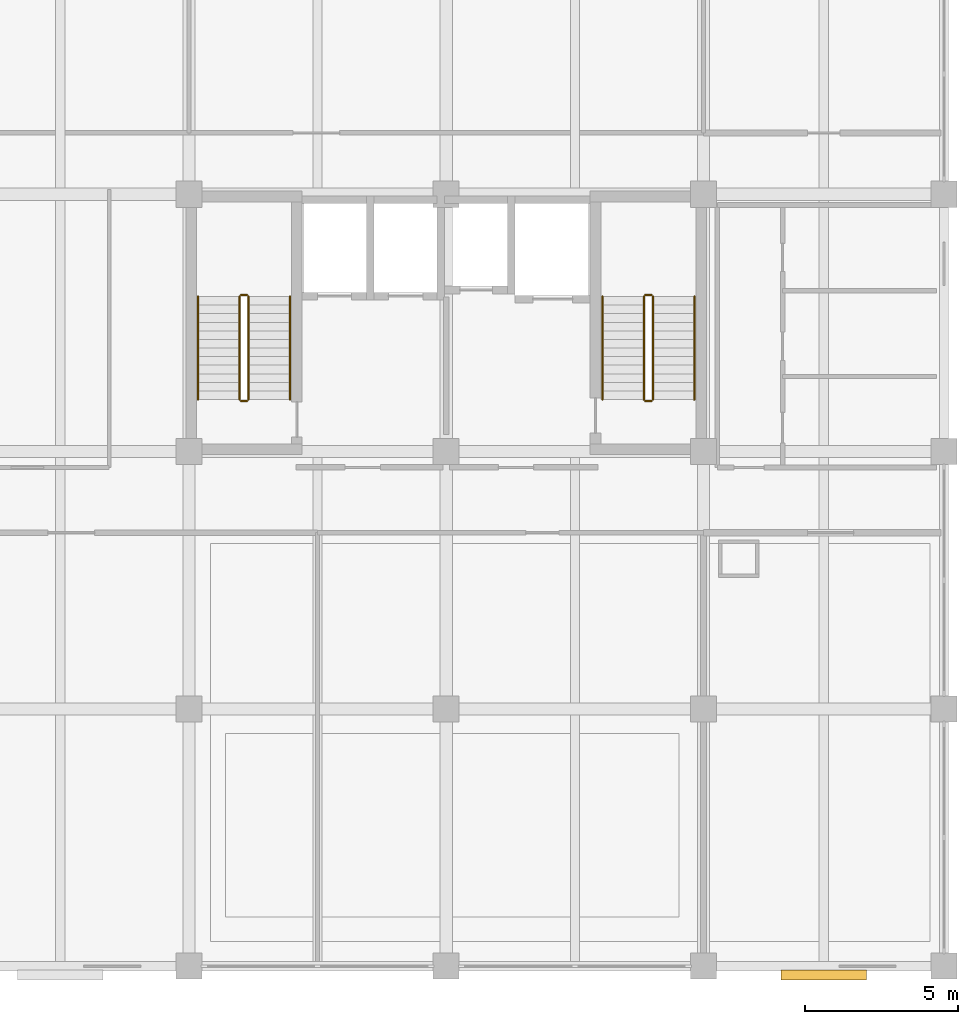
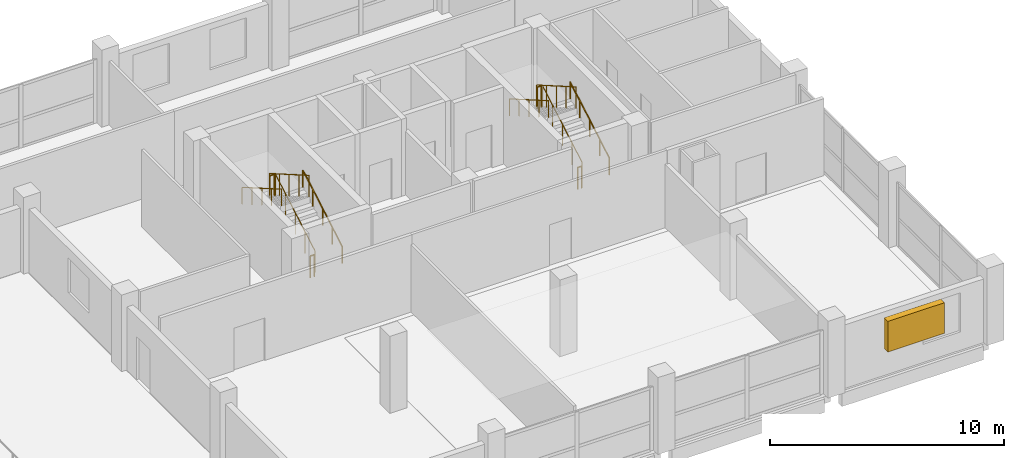
# One storey, part 10 of 10: 12 railings, 1 shading device.
"""IFC4 building model written with IfcOpenShell, lengths in metres."""

from ifc_helpers import new_model, si_unit, direction, frame, origin, origin_2d, place, context, subcontext, project, spatial, rectangle, circle, extrude, material, type_object, element, save


model = new_model("IFC4")

# Units and contexts
model_context = context("Model", 3, precision=1e-05, world=origin(), true_north=direction((0.0, 1.0)))
body_context = subcontext(model_context, "Body", "Model", "MODEL_VIEW")
ifc_project = project(units=[si_unit("LENGTHUNIT", "METRE"), si_unit("AREAUNIT", "SQUARE_METRE"), si_unit("VOLUMEUNIT", "CUBIC_METRE"), si_unit("PLANEANGLEUNIT", "RADIAN"), si_unit("MASSUNIT", "GRAM", prefix="KILO")], contexts=[model_context])

# Site, building, storey
site_placement = place(None, origin())
site = spatial("IfcSite", under=ifc_project, at=site_placement, CompositionType="ELEMENT")
building_placement = place(site_placement, origin())
building = spatial("IfcBuilding", under=site, at=building_placement, Name="Brinegate Botanical Conservatory", CompositionType="ELEMENT")
storey_placement = place(building_placement, frame((0.0, 0.0, 27.60009765625)))
storey = spatial("IfcBuildingStorey", under=building, at=storey_placement, Name="L07", CompositionType="ELEMENT", Elevation=27.60009765625)

# Railings
ifc_material_1 = material(Name="Structural steel Q355B / S355 painted tubular guardrail", Category="steel")
railing_type_1 = type_object("IfcRailingType", Name="Rail_ST-GRD", PredefinedType="GUARDRAIL", material=ifc_material_1)
railing_1_placement = place(storey_placement, frame((140.75, 96.89990234375, 0.161376953125)))
element("IfcRailing", 1, at=railing_1_placement, inside=storey, type_object=railing_type_1, Name="L07 ST1 stair guard 1", PredefinedType="GUARDRAIL", context=body_context, shape_type="SweptSolid", body=[
    extrude(circle(Radius=0.02392578125, at=origin_2d()), frame((0.0, 0.0, 1.1259765625), z_axis=(0.0, 0.866190824863, 0.499713372768), x_axis=(-1.0, 0.0, 0.0)), (0.0, 0.0, 1.0), 3.879150390625),
    extrude(circle(Radius=0.02099609375, at=origin_2d()), origin(), (0.0, 0.0, 1.0), 1.101806640625),
    extrude(circle(Radius=0.02099609375, at=origin_2d()), frame((0.0, 0.840087890625, 0.484619140625)), (0.0, 0.0, 1.0), 1.101806640625),
    extrude(circle(Radius=0.02099609375, at=origin_2d()), frame((0.0, 1.68017578125, 0.96923828125)), (0.0, 0.0, 1.0), 1.101806640625),
    extrude(circle(Radius=0.02099609375, at=origin_2d()), frame((0.0, 2.52001953125, 1.453857421875)), (0.0, 0.0, 1.0), 1.101806640625),
    extrude(circle(Radius=0.02099609375, at=origin_2d()), frame((0.0, 3.360107421875, 1.9384765625)), (0.0, 0.0, 1.0), 1.101806640625),
])
railing_2_placement = place(storey_placement, frame((140.699951171875, 100.31005859375, 2.099853515625)))
element("IfcRailing", 2, at=railing_2_placement, inside=storey, type_object=railing_type_1, Name="L07 ST1 stair guard 2", PredefinedType="GUARDRAIL", context=body_context, shape_type="SweptSolid", body=[
    extrude(circle(Radius=0.02392578125, at=origin_2d()), frame((0.0, 0.0, 1.1259765625), z_axis=(-1.0, 0.0, 0.0), x_axis=(0.0, -1.0, 0.0)), (0.0, 0.0, 1.0), 0.199951171875),
    extrude(circle(Radius=0.02099609375, at=origin_2d()), origin(), (0.0, 0.0, 1.0), 1.101806640625),
    extrude(circle(Radius=0.02099609375, at=origin_2d()), frame((-0.199951171875, 0.0, 0.0)), (0.0, 0.0, 1.0), 1.101806640625),
])
railing_3_placement = place(storey_placement, frame((140.449951171875, 100.260009765625, 2.261474609375)))
element("IfcRailing", 3, at=railing_3_placement, inside=storey, type_object=railing_type_1, Name="L07 ST1 stair guard 3", PredefinedType="GUARDRAIL", context=body_context, shape_type="SweptSolid", body=[
    extrude(circle(Radius=0.02392578125, at=origin_2d()), frame((0.0, 0.0, 1.1259765625), z_axis=(0.0, -0.866190824863, 0.499713372768), x_axis=(1.0, 0.0, 0.0)), (0.0, 0.0, 1.0), 3.879150390625),
    extrude(circle(Radius=0.02099609375, at=origin_2d()), origin(), (0.0, 0.0, 1.0), 1.101806640625),
    extrude(circle(Radius=0.02099609375, at=origin_2d()), frame((0.0, -0.840087890625, 0.484619140625)), (0.0, 0.0, 1.0), 1.101806640625),
    extrude(circle(Radius=0.02099609375, at=origin_2d()), frame((0.0, -1.68017578125, 0.96923828125)), (0.0, 0.0, 1.0), 1.101806640625),
    extrude(circle(Radius=0.02099609375, at=origin_2d()), frame((0.0, -2.52001953125, 1.453857421875)), (0.0, 0.0, 1.0), 1.101806640625),
    extrude(circle(Radius=0.02099609375, at=origin_2d()), frame((0.0, -3.360107421875, 1.9384765625)), (0.0, 0.0, 1.0), 1.101806640625),
])
railing_4_placement = place(storey_placement, frame((140.699951171875, 96.85009765625, 0.0)))
element("IfcRailing", 4, at=railing_4_placement, inside=storey, type_object=railing_type_1, Name="L07 ST1 stair guard 4", PredefinedType="GUARDRAIL", context=body_context, shape_type="SweptSolid", body=[
    extrude(circle(Radius=0.02392578125, at=origin_2d()), frame((0.0, 0.0, 1.1259765625), z_axis=(-1.0, 0.0, 0.0), x_axis=(0.0, -1.0, 0.0)), (0.0, 0.0, 1.0), 0.199951171875),
    extrude(circle(Radius=0.02099609375, at=origin_2d()), origin(), (0.0, 0.0, 1.0), 1.101806640625),
    extrude(circle(Radius=0.02099609375, at=origin_2d()), frame((-0.199951171875, 0.0, 0.0)), (0.0, 0.0, 1.0), 1.101806640625),
])
railing_5_placement = place(storey_placement, frame((153.949951171875, 96.89990234375, 0.161376953125)))
element("IfcRailing", 5, at=railing_5_placement, inside=storey, type_object=railing_type_1, Name="L07 ST2 stair guard 1", PredefinedType="GUARDRAIL", context=body_context, shape_type="SweptSolid", body=[
    extrude(circle(Radius=0.02392578125, at=origin_2d()), frame((0.0, 0.0, 1.1259765625), z_axis=(0.0, 0.866190824863, 0.499713372768), x_axis=(-1.0, 0.0, 0.0)), (0.0, 0.0, 1.0), 3.879150390625),
    extrude(circle(Radius=0.02099609375, at=origin_2d()), origin(), (0.0, 0.0, 1.0), 1.101806640625),
    extrude(circle(Radius=0.02099609375, at=origin_2d()), frame((0.0, 0.840087890625, 0.484619140625)), (0.0, 0.0, 1.0), 1.101806640625),
    extrude(circle(Radius=0.02099609375, at=origin_2d()), frame((0.0, 1.68017578125, 0.96923828125)), (0.0, 0.0, 1.0), 1.101806640625),
    extrude(circle(Radius=0.02099609375, at=origin_2d()), frame((0.0, 2.52001953125, 1.453857421875)), (0.0, 0.0, 1.0), 1.101806640625),
    extrude(circle(Radius=0.02099609375, at=origin_2d()), frame((0.0, 3.360107421875, 1.9384765625)), (0.0, 0.0, 1.0), 1.101806640625),
])
railing_6_placement = place(storey_placement, frame((153.89990234375, 100.31005859375, 2.099853515625)))
element("IfcRailing", 6, at=railing_6_placement, inside=storey, type_object=railing_type_1, Name="L07 ST2 stair guard 2", PredefinedType="GUARDRAIL", context=body_context, shape_type="SweptSolid", body=[
    extrude(circle(Radius=0.02392578125, at=origin_2d()), frame((0.0, 0.0, 1.1259765625), z_axis=(-1.0, 0.0, 0.0), x_axis=(0.0, -1.0, 0.0)), (0.0, 0.0, 1.0), 0.199951171875),
    extrude(circle(Radius=0.02099609375, at=origin_2d()), origin(), (0.0, 0.0, 1.0), 1.101806640625),
    extrude(circle(Radius=0.02099609375, at=origin_2d()), frame((-0.199951171875, 0.0, 0.0)), (0.0, 0.0, 1.0), 1.101806640625),
])
railing_7_placement = place(storey_placement, frame((153.64990234375, 100.260009765625, 2.261474609375)))
element("IfcRailing", 7, at=railing_7_placement, inside=storey, type_object=railing_type_1, Name="L07 ST2 stair guard 3", PredefinedType="GUARDRAIL", context=body_context, shape_type="SweptSolid", body=[
    extrude(circle(Radius=0.02392578125, at=origin_2d()), frame((0.0, 0.0, 1.1259765625), z_axis=(0.0, -0.866190824863, 0.499713372768), x_axis=(1.0, 0.0, 0.0)), (0.0, 0.0, 1.0), 3.879150390625),
    extrude(circle(Radius=0.02099609375, at=origin_2d()), origin(), (0.0, 0.0, 1.0), 1.101806640625),
    extrude(circle(Radius=0.02099609375, at=origin_2d()), frame((0.0, -0.840087890625, 0.484619140625)), (0.0, 0.0, 1.0), 1.101806640625),
    extrude(circle(Radius=0.02099609375, at=origin_2d()), frame((0.0, -1.68017578125, 0.96923828125)), (0.0, 0.0, 1.0), 1.101806640625),
    extrude(circle(Radius=0.02099609375, at=origin_2d()), frame((0.0, -2.52001953125, 1.453857421875)), (0.0, 0.0, 1.0), 1.101806640625),
    extrude(circle(Radius=0.02099609375, at=origin_2d()), frame((0.0, -3.360107421875, 1.9384765625)), (0.0, 0.0, 1.0), 1.101806640625),
])
railing_8_placement = place(storey_placement, frame((153.89990234375, 96.85009765625, 0.0)))
element("IfcRailing", 8, at=railing_8_placement, inside=storey, type_object=railing_type_1, Name="L07 ST2 stair guard 4", PredefinedType="GUARDRAIL", context=body_context, shape_type="SweptSolid", body=[
    extrude(circle(Radius=0.02392578125, at=origin_2d()), frame((0.0, 0.0, 1.1259765625), z_axis=(-1.0, 0.0, 0.0), x_axis=(0.0, -1.0, 0.0)), (0.0, 0.0, 1.0), 0.199951171875),
    extrude(circle(Radius=0.02099609375, at=origin_2d()), origin(), (0.0, 0.0, 1.0), 1.101806640625),
    extrude(circle(Radius=0.02099609375, at=origin_2d()), frame((-0.199951171875, 0.0, 0.0)), (0.0, 0.0, 1.0), 1.101806640625),
])
ifc_material_2 = material(Name="Brushed stainless steel S355 handrail", Category="steel")
railing_type_2 = type_object("IfcRailingType", Name="Rail_ST-HND", PredefinedType="HANDRAIL", material=ifc_material_2)
railing_9_placement = place(storey_placement, frame((142.10009765625, 96.89990234375, 0.161376953125)))
element("IfcRailing", 9, at=railing_9_placement, inside=storey, type_object=railing_type_2, Name="L07 ST1 stair handrail 1", PredefinedType="HANDRAIL", context=body_context, shape_type="SweptSolid", body=[
    extrude(circle(Radius=0.02392578125, at=origin_2d()), frame((0.0, 0.0, 0.8759765625), z_axis=(0.0, 0.866190824863, 0.499713372768), x_axis=(-1.0, 0.0, 0.0)), (0.0, 0.0, 1.0), 3.879150390625),
    extrude(circle(Radius=0.02099609375, at=origin_2d()), origin(), (0.0, 0.0, 1.0), 0.851806640625),
    extrude(circle(Radius=0.02099609375, at=origin_2d()), frame((0.0, 0.840087890625, 0.484619140625)), (0.0, 0.0, 1.0), 0.851806640625),
    extrude(circle(Radius=0.02099609375, at=origin_2d()), frame((0.0, 1.68017578125, 0.96923828125)), (0.0, 0.0, 1.0), 0.851806640625),
    extrude(circle(Radius=0.02099609375, at=origin_2d()), frame((0.0, 2.52001953125, 1.453857421875)), (0.0, 0.0, 1.0), 0.851806640625),
    extrude(circle(Radius=0.02099609375, at=origin_2d()), frame((0.0, 3.360107421875, 1.9384765625)), (0.0, 0.0, 1.0), 0.851806640625),
])
railing_10_placement = place(storey_placement, frame((139.10009765625, 100.260009765625, 2.261474609375)))
element("IfcRailing", 10, at=railing_10_placement, inside=storey, type_object=railing_type_2, Name="L07 ST1 stair handrail 2", PredefinedType="HANDRAIL", context=body_context, shape_type="SweptSolid", body=[
    extrude(circle(Radius=0.02392578125, at=origin_2d()), frame((0.0, 0.0, 0.8759765625), z_axis=(0.0, -0.866190824863, 0.499713372768), x_axis=(1.0, 0.0, 0.0)), (0.0, 0.0, 1.0), 3.879150390625),
    extrude(circle(Radius=0.02099609375, at=origin_2d()), origin(), (0.0, 0.0, 1.0), 0.851806640625),
    extrude(circle(Radius=0.02099609375, at=origin_2d()), frame((0.0, -0.840087890625, 0.484619140625)), (0.0, 0.0, 1.0), 0.851806640625),
    extrude(circle(Radius=0.02099609375, at=origin_2d()), frame((0.0, -1.68017578125, 0.96923828125)), (0.0, 0.0, 1.0), 0.851806640625),
    extrude(circle(Radius=0.02099609375, at=origin_2d()), frame((0.0, -2.52001953125, 1.453857421875)), (0.0, 0.0, 1.0), 0.851806640625),
    extrude(circle(Radius=0.02099609375, at=origin_2d()), frame((0.0, -3.360107421875, 1.9384765625)), (0.0, 0.0, 1.0), 0.851806640625),
])
railing_11_placement = place(storey_placement, frame((155.300048828125, 96.89990234375, 0.161376953125)))
element("IfcRailing", 11, at=railing_11_placement, inside=storey, type_object=railing_type_2, Name="L07 ST2 stair handrail 1", PredefinedType="HANDRAIL", context=body_context, shape_type="SweptSolid", body=[
    extrude(circle(Radius=0.02392578125, at=origin_2d()), frame((0.0, 0.0, 0.8759765625), z_axis=(0.0, 0.866190824863, 0.499713372768), x_axis=(-1.0, 0.0, 0.0)), (0.0, 0.0, 1.0), 3.879150390625),
    extrude(circle(Radius=0.02099609375, at=origin_2d()), origin(), (0.0, 0.0, 1.0), 0.851806640625),
    extrude(circle(Radius=0.02099609375, at=origin_2d()), frame((0.0, 0.840087890625, 0.484619140625)), (0.0, 0.0, 1.0), 0.851806640625),
    extrude(circle(Radius=0.02099609375, at=origin_2d()), frame((0.0, 1.68017578125, 0.96923828125)), (0.0, 0.0, 1.0), 0.851806640625),
    extrude(circle(Radius=0.02099609375, at=origin_2d()), frame((0.0, 2.52001953125, 1.453857421875)), (0.0, 0.0, 1.0), 0.851806640625),
    extrude(circle(Radius=0.02099609375, at=origin_2d()), frame((0.0, 3.360107421875, 1.9384765625)), (0.0, 0.0, 1.0), 0.851806640625),
])
railing_12_placement = place(storey_placement, frame((152.300048828125, 100.260009765625, 2.261474609375)))
element("IfcRailing", 12, at=railing_12_placement, inside=storey, type_object=railing_type_2, Name="L07 ST2 stair handrail 2", PredefinedType="HANDRAIL", context=body_context, shape_type="SweptSolid", body=[
    extrude(circle(Radius=0.02392578125, at=origin_2d()), frame((0.0, 0.0, 0.8759765625), z_axis=(0.0, -0.866190824863, 0.499713372768), x_axis=(1.0, 0.0, 0.0)), (0.0, 0.0, 1.0), 3.879150390625),
    extrude(circle(Radius=0.02099609375, at=origin_2d()), origin(), (0.0, 0.0, 1.0), 0.851806640625),
    extrude(circle(Radius=0.02099609375, at=origin_2d()), frame((0.0, -0.840087890625, 0.484619140625)), (0.0, 0.0, 1.0), 0.851806640625),
    extrude(circle(Radius=0.02099609375, at=origin_2d()), frame((0.0, -1.68017578125, 0.96923828125)), (0.0, 0.0, 1.0), 0.851806640625),
    extrude(circle(Radius=0.02099609375, at=origin_2d()), frame((0.0, -2.52001953125, 1.453857421875)), (0.0, 0.0, 1.0), 0.851806640625),
    extrude(circle(Radius=0.02099609375, at=origin_2d()), frame((0.0, -3.360107421875, 1.9384765625)), (0.0, 0.0, 1.0), 0.851806640625),
])

# Shading device
ifc_material_3 = material(Name="Anodised aluminium AW-6063-T6 solar-storm fin bank", Category="aluminium")
shading_device_type = type_object("IfcShadingDeviceType", Name="Shade_SLV-02", PredefinedType="JALOUSIE", material=ifc_material_3)
shading_device_placement = place(storey_placement, frame((159.52490234375, 78.110107421875, 1.39990234375), z_axis=(0.0, 0.0, 1.0), x_axis=(1.0, 0.0, 0.0)))
element("IfcShadingDevice", 13, at=shading_device_placement, inside=storey, type_object=shading_device_type, Name="Research lab south storm louvre L07.4", PredefinedType="JALOUSIE", context=body_context, shape_type="SweptSolid", body=[
    extrude(rectangle(XDim=2.800048828125, YDim=0.320068359375, at=origin_2d()), origin(), (0.0, 0.0, 1.0), 1.60009765625),
])

save(model, "model.ifc")
